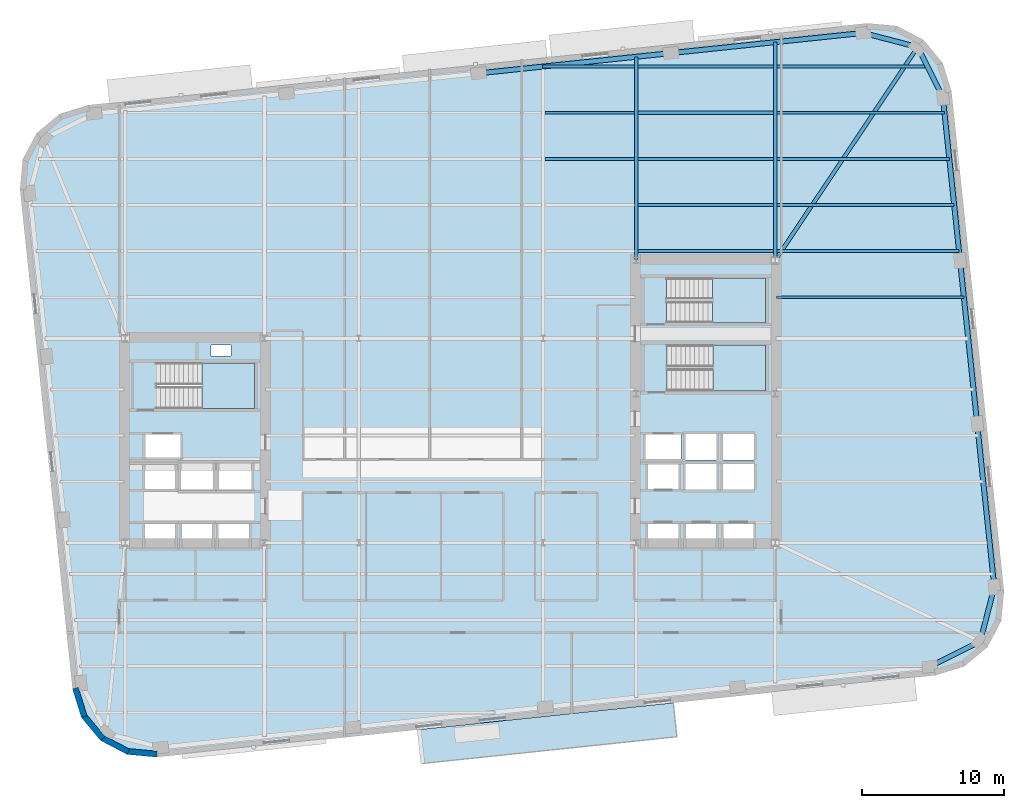
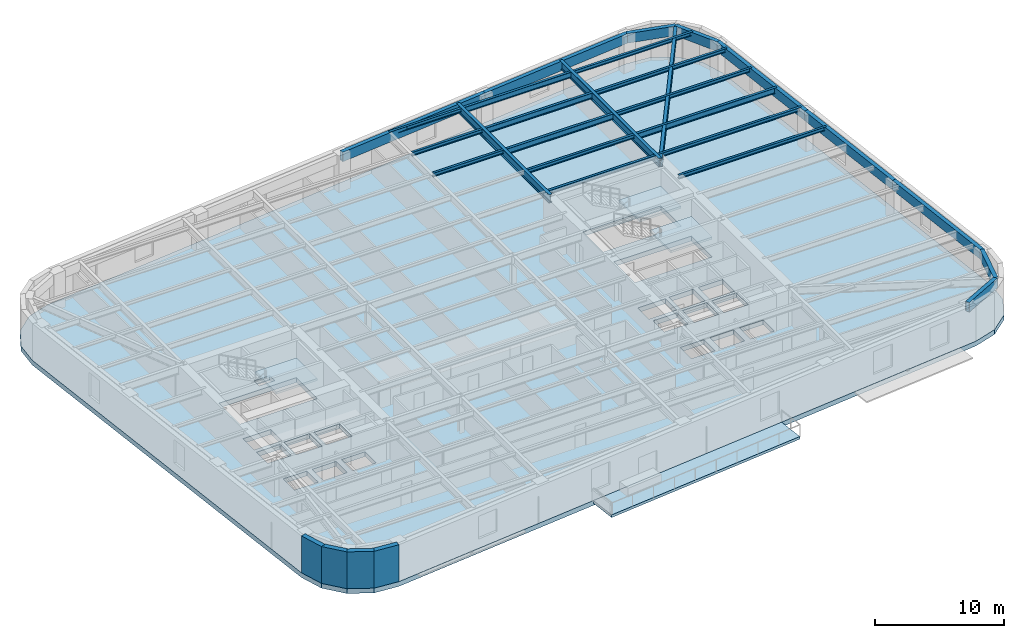
# One storey, part 3 of 11: 26 beams, 5 slabs, 4 walls, 3 elements without a shape of their own.
"""IFC4 building model written with IfcOpenShell, lengths in metres."""

from ifc_helpers import new_model, si_unit, direction, frame, frame_2d, origin, origin_2d, place, context, subcontext, project, spatial, polyline, rectangle, hollow_rectangle, i_section, outline, extrude, material, layer, layer_set, material_profile, profile_set, type_object, element, aggregate, save


model = new_model("IFC4")

# Units and contexts
model_context = context("Model", 3, precision=1e-05, world=origin(), true_north=direction((0.0, 1.0)))
body_context = subcontext(model_context, "Body", "Model", "MODEL_VIEW")
ifc_project = project(units=[si_unit("LENGTHUNIT", "METRE"), si_unit("AREAUNIT", "SQUARE_METRE"), si_unit("VOLUMEUNIT", "CUBIC_METRE"), si_unit("PLANEANGLEUNIT", "RADIAN"), si_unit("MASSUNIT", "GRAM", prefix="KILO")], contexts=[model_context])

# Site, building, storey
site_placement = place(None, origin())
site = spatial("IfcSite", under=ifc_project, at=site_placement, CompositionType="ELEMENT")
building_placement = place(site_placement, origin())
building = spatial("IfcBuilding", under=site, at=building_placement, Name="Kolvaren Arena Tower", CompositionType="ELEMENT")
storey_placement = place(building_placement, frame((0.0, 0.0, 99.699951171875)))
storey = spatial("IfcBuildingStorey", under=building, at=storey_placement, Name="L22", CompositionType="ELEMENT", Elevation=99.699951171875)

# Beams
ifc_material_1 = material(Name="Steel CSA G40.21 350W", Category="steel")
ifc_material_profile_1 = material_profile(ifc_material_1, i_section(OverallWidth=0.2119140625, OverallDepth=0.54296875, WebThickness=0.01318359375, FlangeThickness=0.0244140625, FilletRadius=0.013916015625, at=origin_2d()), Name="W530x150")
ifc_profile_set_1 = profile_set([ifc_material_profile_1], Name="Steel CSA G40.21 350W")
beam_type_1 = type_object("IfcBeamType", Name="BEAM-F1", PredefinedType="BEAM", material=ifc_profile_set_1)
beam_1_placement = place(storey_placement, frame((60.485107421875, 43.25, 3.20849609375), z_axis=(1.0, 0.0, 0.0), x_axis=(0.0, 1.0, 0.0)))
element("IfcBeam", 1, at=beam_1_placement, inside=storey, type_object=beam_type_1, Name="Composite Floor Beam (L22)", PredefinedType="BEAM", context=body_context, shape_type="SweptSolid", body=[
    extrude(i_section(OverallWidth=0.2119140625, OverallDepth=0.54296875, WebThickness=0.01318359375, FlangeThickness=0.0244140625, FilletRadius=0.013916015625, at=origin_2d()), origin(), (0.0, 0.0, 1.0), 12.471435546875),
])
for number, where, z_axis, x_axis, name in (
    (2, (50.68505859375, 46.5, 3.20849609375), (1.0, 0.0, 0.0), (0.0, 1.0, 0.0), "Composite Floor Beam (L22)"),
    (3, (50.68505859375, 49.75, 3.20849609375), (1.0, 0.0, 0.0), (0.0, 1.0, 0.0), "Composite Floor Beam (L22)"),
    (4, (50.68505859375, 53.0, 3.20849609375), (1.0, 0.0, 0.0), (0.0, 1.0, 0.0), "Composite Floor Beam (L22)"),
):
    element("IfcBeam", number, at=place(storey_placement, frame(where, z_axis=z_axis, x_axis=x_axis)), inside=storey, type_object=beam_type_1, Name=name, PredefinedType="BEAM", context=body_context, shape_type="SweptSolid", body=[
        extrude(i_section(OverallWidth=0.2119140625, OverallDepth=0.54296875, WebThickness=0.01318359375, FlangeThickness=0.0244140625, FilletRadius=0.013916015625, at=origin_2d()), origin(), (0.0, 0.0, 1.0), 9.530029296875),
    ])
ifc_material_profile_2 = material_profile(ifc_material_1, i_section(OverallWidth=0.27001953125, OverallDepth=0.77294921875, WebThickness=0.019287109375, FlangeThickness=0.033447265625, FilletRadius=0.01806640625, at=origin_2d()), Name="W760x257")
ifc_profile_set_2 = profile_set([ifc_material_profile_2], Name="Steel CSA G40.21 350W")
beam_type_2 = type_object("IfcBeamType", Name="GIRD-T1", PredefinedType="BEAM", material=ifc_profile_set_2)
beam_2_placement = place(storey_placement, frame((70.387939453125, 54.37939453125, 3.093505859375), z_axis=(-0.555401401293, -0.831582397266, 0.0), x_axis=(0.831582397266, -0.555401401293, 0.0)))
element("IfcBeam", 5, at=beam_2_placement, inside=storey, type_object=beam_type_2, Name="Corner Diagonal Tie Girder (L22)", PredefinedType="BEAM", context=body_context, shape_type="SweptSolid", body=[
    extrude(i_section(OverallWidth=0.27001953125, OverallDepth=0.77294921875, WebThickness=0.019287109375, FlangeThickness=0.033447265625, FilletRadius=0.01806640625, at=origin_2d()), origin(), (0.0, 0.0, 1.0), 18.0732421875),
])
beam_3_placement = place(storey_placement, frame((50.550048828125, 39.405029296875, 3.093505859375), z_axis=(0.0, 1.0, 0.0), x_axis=(-1.0, 0.0, 0.0)))
element("IfcBeam", 6, at=beam_3_placement, inside=storey, type_object=beam_type_2, Name="Primary Floor Girder (L22)", PredefinedType="BEAM", context=body_context, shape_type="SweptSolid", body=[
    extrude(i_section(OverallWidth=0.27001953125, OverallDepth=0.77294921875, WebThickness=0.019287109375, FlangeThickness=0.033447265625, FilletRadius=0.01806640625, at=origin_2d()), origin(), (0.0, 0.0, 1.0), 14.288330078125),
])
beam_4_placement = place(storey_placement, frame((60.35009765625, 39.405029296875, 3.093505859375), z_axis=(0.0, 1.0, 0.0), x_axis=(-1.0, 0.0, 0.0)))
element("IfcBeam", 7, at=beam_4_placement, inside=storey, type_object=beam_type_2, Name="Primary Floor Girder (L22)", PredefinedType="BEAM", context=body_context, shape_type="SweptSolid", body=[
    extrude(i_section(OverallWidth=0.27001953125, OverallDepth=0.77294921875, WebThickness=0.019287109375, FlangeThickness=0.033447265625, FilletRadius=0.01806640625, at=origin_2d()), origin(), (0.0, 0.0, 1.0), 15.318359375),
])
ifc_material_profile_3 = material_profile(ifc_material_1, i_section(OverallWidth=0.202880859375, OverallDepth=0.346923828125, WebThickness=0.0078125, FlangeThickness=0.013427734375, FilletRadius=0.010986328125, at=origin_2d()), Name="W360x64")
ifc_profile_set_3 = profile_set([ifc_material_profile_3], Name="Steel CSA G40.21 350W")
beam_type_3 = type_object("IfcBeamType", Name="JOIST-01", PredefinedType="JOIST", material=ifc_profile_set_3)
beam_5_placement = place(storey_placement, frame((60.445068359375, 36.75, 3.306640625), z_axis=(1.0, 0.0, 0.0), x_axis=(0.0, 1.0, 0.0)))
element("IfcBeam", 8, at=beam_5_placement, inside=storey, type_object=beam_type_3, Name="Composite Floor Joist (L22)", PredefinedType="JOIST", context=body_context, shape_type="SweptSolid", body=[
    extrude(i_section(OverallWidth=0.202880859375, OverallDepth=0.346923828125, WebThickness=0.0078125, FlangeThickness=0.013427734375, FilletRadius=0.010986328125, at=origin_2d()), origin(), (0.0, 0.0, 1.0), 13.19482421875),
])
beam_6_placement = place(storey_placement, frame((50.68505859375, 40.0, 3.306640625), z_axis=(1.0, 0.0, 0.0), x_axis=(0.0, 1.0, 0.0)))
element("IfcBeam", 9, at=beam_6_placement, inside=storey, type_object=beam_type_3, Name="Composite Floor Joist (L22)", PredefinedType="JOIST", context=body_context, shape_type="SweptSolid", body=[
    extrude(i_section(OverallWidth=0.202880859375, OverallDepth=0.346923828125, WebThickness=0.0078125, FlangeThickness=0.013427734375, FilletRadius=0.010986328125, at=origin_2d()), origin(), (0.0, 0.0, 1.0), 9.530029296875),
])
beam_7_placement = place(storey_placement, frame((60.485107421875, 40.0, 3.306640625), z_axis=(1.0, 0.0, 0.0), x_axis=(0.0, 1.0, 0.0)))
element("IfcBeam", 10, at=beam_7_placement, inside=storey, type_object=beam_type_3, Name="Composite Floor Joist (L22)", PredefinedType="JOIST", context=body_context, shape_type="SweptSolid", body=[
    extrude(i_section(OverallWidth=0.202880859375, OverallDepth=0.346923828125, WebThickness=0.0078125, FlangeThickness=0.013427734375, FilletRadius=0.010986328125, at=origin_2d()), origin(), (0.0, 0.0, 1.0), 12.81298828125),
])
beam_8_placement = place(storey_placement, frame((50.68505859375, 43.25, 3.306640625), z_axis=(1.0, 0.0, 0.0), x_axis=(0.0, 1.0, 0.0)))
element("IfcBeam", 11, at=beam_8_placement, inside=storey, type_object=beam_type_3, Name="Composite Floor Joist (L22)", PredefinedType="JOIST", context=body_context, shape_type="SweptSolid", body=[
    extrude(i_section(OverallWidth=0.202880859375, OverallDepth=0.346923828125, WebThickness=0.0078125, FlangeThickness=0.013427734375, FilletRadius=0.010986328125, at=origin_2d()), origin(), (0.0, 0.0, 1.0), 9.530029296875),
])
beam_9_placement = place(storey_placement, frame((44.135009765625, 46.5, 3.306640625), z_axis=(1.0, 0.0, 0.0), x_axis=(0.0, 1.0, 0.0)))
element("IfcBeam", 12, at=beam_9_placement, inside=storey, type_object=beam_type_3, Name="Composite Floor Joist (L22)", PredefinedType="JOIST", context=body_context, shape_type="SweptSolid", body=[
    extrude(i_section(OverallWidth=0.202880859375, OverallDepth=0.346923828125, WebThickness=0.0078125, FlangeThickness=0.013427734375, FilletRadius=0.010986328125, at=origin_2d()), origin(), (0.0, 0.0, 1.0), 6.280029296875),
])
beam_10_placement = place(storey_placement, frame((60.485107421875, 46.5, 3.306640625), z_axis=(1.0, 0.0, 0.0), x_axis=(0.0, 1.0, 0.0)))
element("IfcBeam", 13, at=beam_10_placement, inside=storey, type_object=beam_type_3, Name="Composite Floor Joist (L22)", PredefinedType="JOIST", context=body_context, shape_type="SweptSolid", body=[
    extrude(i_section(OverallWidth=0.202880859375, OverallDepth=0.346923828125, WebThickness=0.0078125, FlangeThickness=0.013427734375, FilletRadius=0.010986328125, at=origin_2d()), origin(), (0.0, 0.0, 1.0), 12.1298828125),
])
beam_11_placement = place(storey_placement, frame((44.135009765625, 49.75, 3.306640625), z_axis=(1.0, 0.0, 0.0), x_axis=(0.0, 1.0, 0.0)))
element("IfcBeam", 14, at=beam_11_placement, inside=storey, type_object=beam_type_3, Name="Composite Floor Joist (L22)", PredefinedType="JOIST", context=body_context, shape_type="SweptSolid", body=[
    extrude(i_section(OverallWidth=0.202880859375, OverallDepth=0.346923828125, WebThickness=0.0078125, FlangeThickness=0.013427734375, FilletRadius=0.010986328125, at=origin_2d()), origin(), (0.0, 0.0, 1.0), 6.280029296875),
])
beam_12_placement = place(storey_placement, frame((60.485107421875, 49.75, 3.306640625), z_axis=(1.0, 0.0, 0.0), x_axis=(0.0, 1.0, 0.0)))
element("IfcBeam", 15, at=beam_12_placement, inside=storey, type_object=beam_type_3, Name="Composite Floor Joist (L22)", PredefinedType="JOIST", context=body_context, shape_type="SweptSolid", body=[
    extrude(i_section(OverallWidth=0.202880859375, OverallDepth=0.346923828125, WebThickness=0.0078125, FlangeThickness=0.013427734375, FilletRadius=0.010986328125, at=origin_2d()), origin(), (0.0, 0.0, 1.0), 11.788330078125),
])
beam_13_placement = place(storey_placement, frame((43.95361328125, 53.0, 3.306640625), z_axis=(1.0, 0.0, 0.0), x_axis=(0.0, 1.0, 0.0)))
element("IfcBeam", 16, at=beam_13_placement, inside=storey, type_object=beam_type_3, Name="Composite Floor Joist (L22)", PredefinedType="JOIST", context=body_context, shape_type="SweptSolid", body=[
    extrude(i_section(OverallWidth=0.202880859375, OverallDepth=0.346923828125, WebThickness=0.0078125, FlangeThickness=0.013427734375, FilletRadius=0.010986328125, at=origin_2d()), origin(), (0.0, 0.0, 1.0), 6.46142578125),
])
beam_14_placement = place(storey_placement, frame((60.485107421875, 53.0, 3.306640625), z_axis=(1.0, 0.0, 0.0), x_axis=(0.0, 1.0, 0.0)))
element("IfcBeam", 17, at=beam_14_placement, inside=storey, type_object=beam_type_3, Name="Composite Floor Joist (L22)", PredefinedType="JOIST", context=body_context, shape_type="SweptSolid", body=[
    extrude(i_section(OverallWidth=0.202880859375, OverallDepth=0.346923828125, WebThickness=0.0078125, FlangeThickness=0.013427734375, FilletRadius=0.010986328125, at=origin_2d()), origin(), (0.0, 0.0, 1.0), 10.592529296875),
])
ifc_material_2 = material(Name="Steel CSA G40.21 350WT", Category="steel")
ifc_material_profile_4 = material_profile(ifc_material_2, hollow_rectangle(XDim=0.35009765625, YDim=0.89990234375, WallThickness=0.02001953125, at=origin_2d()), Name="HSS 900x350x20")
ifc_profile_set_4 = profile_set([ifc_material_profile_4], Name="Steel CSA G40.21 350WT")
beam_type_4 = type_object("IfcBeamType", Name="SPAND-01", PredefinedType="SPANDREL", material=ifc_profile_set_4)
for number, where, z_axis, x_axis, name in (
    (18, (71.247314453125, 10.721435546875, 3.030029296875), (0.894451843771, 0.44716428656, 0.0), (-0.44716428656, 0.894451843771, 0.0), "Perimeter Spandrel Beam (L22)"),
    (19, (74.790283203125, 12.49267578125, 3.030029296875), (0.251473350892, 0.967864222808, 0.0), (-0.967864222808, 0.251473350892, 0.0), "Perimeter Spandrel Beam (L22)"),
):
    element("IfcBeam", number, at=place(storey_placement, frame(where, z_axis=z_axis, x_axis=x_axis)), inside=storey, type_object=beam_type_4, Name=name, PredefinedType="SPANDREL", context=body_context, shape_type="SweptSolid", body=[
        extrude(hollow_rectangle(XDim=0.35009765625, YDim=0.89990234375, WallThickness=0.02001953125, at=origin_2d()), origin(), (0.0, 0.0, 1.0), 3.9609375),
    ])
beam_15_placement = place(storey_placement, frame((75.786376953125, 16.326416015625, 3.030029296875), z_axis=(-0.104522171998, 0.994522556587, 0.0), x_axis=(-0.994522556587, -0.104522171998, 0.0)))
element("IfcBeam", 20, at=beam_15_placement, inside=storey, type_object=beam_type_4, Name="Perimeter Spandrel Beam (L22)", PredefinedType="SPANDREL", context=body_context, shape_type="SweptSolid", body=[
    extrude(hollow_rectangle(XDim=0.35009765625, YDim=0.89990234375, WallThickness=0.02001953125, at=origin_2d()), origin(), (0.0, 0.0, 1.0), 11.56689453125),
])
beam_16_placement = place(storey_placement, frame((74.577392578125, 27.829833984375, 3.030029296875), z_axis=(-0.104524366116, 0.994522325988, 0.0), x_axis=(-0.994522325988, -0.104524366116, 0.0)))
element("IfcBeam", 21, at=beam_16_placement, inside=storey, type_object=beam_type_4, Name="Perimeter Spandrel Beam (L22)", PredefinedType="SPANDREL", context=body_context, shape_type="SweptSolid", body=[
    extrude(hollow_rectangle(XDim=0.35009765625, YDim=0.89990234375, WallThickness=0.02001953125, at=origin_2d()), origin(), (0.0, 0.0, 1.0), 11.566650390625),
])
beam_17_placement = place(storey_placement, frame((73.368408203125, 39.3330078125, 3.030029296875), z_axis=(-0.104543048399, 0.994520362301, 0.0), x_axis=(-0.994520362301, -0.104543048399, 0.0)))
element("IfcBeam", 22, at=beam_17_placement, inside=storey, type_object=beam_type_4, Name="Perimeter Spandrel Beam (L22)", PredefinedType="SPANDREL", context=body_context, shape_type="SweptSolid", body=[
    extrude(hollow_rectangle(XDim=0.35009765625, YDim=0.89990234375, WallThickness=0.02001953125, at=origin_2d()), origin(), (0.0, 0.0, 1.0), 11.56689453125),
])
for number, where, z_axis, x_axis, name in (
    (23, (72.1591796875, 50.83642578125, 3.030029296875), (-0.44716428656, 0.894451843771, 0.0), (-0.894451843771, -0.44716428656, 0.0), "Perimeter Spandrel Beam (L22)"),
    (24, (70.387939453125, 54.37939453125, 3.030029296875), (-0.967864222808, 0.251473350892, 0.0), (-0.251473350892, -0.967864222808, 0.0), "Perimeter Spandrel Beam (L22)"),
):
    element("IfcBeam", number, at=place(storey_placement, frame(where, z_axis=z_axis, x_axis=x_axis)), inside=storey, type_object=beam_type_4, Name=name, PredefinedType="SPANDREL", context=body_context, shape_type="SweptSolid", body=[
        extrude(hollow_rectangle(XDim=0.35009765625, YDim=0.89990234375, WallThickness=0.02001953125, at=origin_2d()), origin(), (0.0, 0.0, 1.0), 3.9609375),
    ])
beam_18_placement = place(storey_placement, frame((66.55419921875, 55.37548828125, 3.030029296875), z_axis=(-0.994521150946, -0.104535545729, 0.0), x_axis=(0.104535545729, -0.994521150946, 0.0)))
element("IfcBeam", 25, at=beam_18_placement, inside=storey, type_object=beam_type_4, Name="Perimeter Spandrel Beam (L22)", PredefinedType="SPANDREL", context=body_context, shape_type="SweptSolid", body=[
    extrude(hollow_rectangle(XDim=0.35009765625, YDim=0.89990234375, WallThickness=0.02001953125, at=origin_2d()), origin(), (0.0, 0.0, 1.0), 13.625244140625),
])
beam_19_placement = place(storey_placement, frame((53.003662109375, 53.951171875, 3.030029296875), z_axis=(-0.994522817887, -0.104519685718, 0.0), x_axis=(0.104519685718, -0.994522817887, 0.0)))
element("IfcBeam", 26, at=beam_19_placement, inside=storey, type_object=beam_type_4, Name="Perimeter Spandrel Beam (L22)", PredefinedType="SPANDREL", context=body_context, shape_type="SweptSolid", body=[
    extrude(hollow_rectangle(XDim=0.35009765625, YDim=0.89990234375, WallThickness=0.02001953125, at=origin_2d()), origin(), (0.0, 0.0, 1.0), 13.625),
])

# Stair, slab
ifc_material_3 = material(Name="Concrete 45 MPa", Category="concrete")
stair_type_1 = type_object("IfcStairType", Name="STAIR-CORE-165", PredefinedType="HALF_TURN_STAIR", material=ifc_material_3)
stair_1_placement = place(storey_placement, origin())
stair_1 = element("IfcStair", 27, at=stair_1_placement, inside=storey, type_object=stair_type_1, Name="L22 ST-W1", PredefinedType="HALF_TURN_STAIR")
ifc_layer_1 = layer(ifc_material_3, 0.199951171875)
ifc_layer_set_1 = layer_set([ifc_layer_1], Name="Concrete 45 MPa")
slab_type_1 = type_object("IfcSlabType", Name="SLAB-LAND", PredefinedType="LANDING", material=ifc_layer_set_1)
slab_1_placement = place(storey_placement, frame((0.0, 0.0, 1.675048828125)))
slab_1 = element("IfcSlab", 28, at=slab_1_placement, type_object=slab_type_1, Name="ST-W1 landing 1", PredefinedType="LANDING", context=body_context, shape_type="SweptSolid", body=[
    extrude(outline(polyline([(19.9599609375, 28.89990234375), (23.659912109375, 28.89990234375), (23.659912109375, 32.1298828125), (19.9599609375, 32.1298828125), (19.9599609375, 28.89990234375)])), origin(), (0.0, 0.0, 1.0), 0.199951171875),
])
aggregate(stair_1, [slab_1])

stair_2_placement = place(storey_placement, origin())
stair_2 = element("IfcStair", 29, at=stair_2_placement, inside=storey, type_object=stair_type_1, Name="L22 ST-E1", PredefinedType="HALF_TURN_STAIR")
slab_2_placement = place(storey_placement, frame((0.0, 0.0, 1.675048828125)))
slab_2 = element("IfcSlab", 30, at=slab_2_placement, type_object=slab_type_1, Name="ST-E1 landing 1", PredefinedType="LANDING", context=body_context, shape_type="SweptSolid", body=[
    extrude(outline(polyline([(55.9599609375, 30.14990234375), (59.659912109375, 30.14990234375), (59.659912109375, 33.3798828125), (55.9599609375, 33.3798828125), (55.9599609375, 30.14990234375)])), origin(), (0.0, 0.0, 1.0), 0.199951171875),
])
aggregate(stair_2, [slab_2])

stair_type_2 = type_object("IfcStairType", Name="STAIR-CORE-150", PredefinedType="HALF_TURN_STAIR", material=ifc_material_3)
stair_3_placement = place(storey_placement, origin())
stair_3 = element("IfcStair", 31, at=stair_3_placement, inside=storey, type_object=stair_type_2, Name="L22 ST-E2", PredefinedType="HALF_TURN_STAIR")
slab_3_placement = place(storey_placement, frame((0.0, 0.0, 1.675048828125)))
slab_3 = element("IfcSlab", 32, at=slab_3_placement, type_object=slab_type_1, Name="ST-E2 landing 1", PredefinedType="LANDING", context=body_context, shape_type="SweptSolid", body=[
    extrude(outline(polyline([(55.919921875, 34.949951171875), (59.659912109375, 34.949951171875), (59.659912109375, 38.10009765625), (55.919921875, 38.10009765625), (55.919921875, 34.949951171875)])), origin(), (0.0, 0.0, 1.0), 0.199951171875),
])
aggregate(stair_3, [slab_3])

# Slabs
ifc_layer_2 = layer(ifc_material_3, 0.2548828125)
ifc_layer_set_2 = layer_set([ifc_layer_2], Name="Concrete 45 MPa")
slab_type_2 = type_object("IfcSlabType", Name="SLAB-TERR", PredefinedType="FLOOR", material=ifc_layer_set_2)
slab_4_placement = place(storey_placement, frame((0.0, 0.0, -0.25)))
element("IfcSlab", 33, at=slab_4_placement, inside=storey, type_object=slab_type_2, Name="L22 Planted Setback Roof Terrace Slab", PredefinedType="FLOOR", context=body_context, shape_type="SweptSolid", body=[
    extrude(outline(polyline([(35.514892578125, 3.89892578125), (53.416259765625, 5.780517578125), (53.165283203125, 8.167236328125), (35.263916015625, 6.285888671875), (35.514892578125, 3.89892578125)])), origin(), (0.0, 0.0, 1.0), 0.25),
])
ifc_material_4 = material(Name="Concrete 60 MPa", Category="concrete")
ifc_layer_3 = layer(ifc_material_4, 0.449951171875)
ifc_layer_set_3 = layer_set([ifc_layer_3], Name="Concrete 60 MPa")
slab_type_3 = type_object("IfcSlabType", Name="SLAB-TRANS", PredefinedType="FLOOR", material=ifc_layer_set_3)
slab_5_placement = place(storey_placement, frame((0.0, 0.0, -0.449951171875)))
element("IfcSlab", 34, at=slab_5_placement, inside=storey, type_object=slab_type_3, Name="L22 Primary Structural Slab", PredefinedType="FLOOR", context=body_context, shape_type="SweptSolid", body=[
    extrude(outline(polyline([(71.663330078125, 10.111572265625), (73.675537109375, 10.736328125), (75.29541015625, 12.08349609375), (76.276611328125, 13.9482421875), (76.469482421875, 16.04638671875), (72.76904296875, 51.25244140625), (72.144287109375, 53.2646484375), (70.797119140625, 54.884521484375), (68.932373046875, 55.865478515625), (66.834228515625, 56.058349609375), (11.9365234375, 50.28857421875), (9.92431640625, 49.663818359375), (8.304443359375, 48.31640625), (7.323486328125, 46.45166015625), (7.130615234375, 44.353515625), (10.830810546875, 9.1474609375), (11.455810546875, 7.13525390625), (12.802978515625, 5.515380859375), (14.667724609375, 4.534423828125), (16.765869140625, 4.341552734375), (71.663330078125, 10.111572265625)]), holes=[polyline([(15.93505859375, 19.0849609375), (15.93505859375, 20.81494140625), (18.06494140625, 20.81494140625), (18.06494140625, 19.0849609375), (15.93505859375, 19.0849609375)]), polyline([(18.534912109375, 19.0849609375), (18.534912109375, 20.81494140625), (20.6650390625, 20.81494140625), (20.6650390625, 19.0849609375), (18.534912109375, 19.0849609375)]), polyline([(21.135009765625, 19.0849609375), (21.135009765625, 20.81494140625), (23.264892578125, 20.81494140625), (23.264892578125, 19.0849609375), (21.135009765625, 19.0849609375)]), polyline([(51.39501953125, 19.0849609375), (51.39501953125, 20.81494140625), (53.52490234375, 20.81494140625), (53.52490234375, 19.0849609375), (51.39501953125, 19.0849609375)]), polyline([(54.054931640625, 19.0849609375), (54.054931640625, 20.81494140625), (56.18505859375, 20.81494140625), (56.18505859375, 19.0849609375), (54.054931640625, 19.0849609375)]), polyline([(56.695068359375, 19.0849609375), (56.695068359375, 20.81494140625), (58.824951171875, 20.81494140625), (58.824951171875, 19.0849609375), (56.695068359375, 19.0849609375)]), polyline([(18.4599609375, 25.06494140625), (20.739990234375, 25.06494140625), (20.739990234375, 23.135009765625), (18.4599609375, 23.135009765625), (18.4599609375, 25.06494140625)]), polyline([(21.159912109375, 23.135009765625), (21.159912109375, 25.06494140625), (23.43994140625, 25.06494140625), (23.43994140625, 23.135009765625), (21.159912109375, 23.135009765625)]), polyline([(54.030029296875, 25.014892578125), (56.2099609375, 25.014892578125), (56.2099609375, 23.18505859375), (54.030029296875, 23.18505859375), (54.030029296875, 25.014892578125)]), polyline([(56.669921875, 25.014892578125), (58.85009765625, 25.014892578125), (58.85009765625, 23.18505859375), (56.669921875, 23.18505859375), (56.669921875, 25.014892578125)]), polyline([(15.93505859375, 24.965087890625), (18.06494140625, 24.965087890625), (18.06494140625, 23.235107421875), (15.93505859375, 23.235107421875), (15.93505859375, 24.965087890625)]), polyline([(51.39501953125, 23.235107421875), (51.39501953125, 24.965087890625), (53.52490234375, 24.965087890625), (53.52490234375, 23.235107421875), (51.39501953125, 23.235107421875)]), polyline([(54.030029296875, 25.284912109375), (54.030029296875, 27.114990234375), (56.2099609375, 27.114990234375), (56.2099609375, 25.284912109375), (54.030029296875, 25.284912109375)]), polyline([(56.669921875, 25.284912109375), (56.669921875, 27.114990234375), (58.85009765625, 27.114990234375), (58.85009765625, 25.284912109375), (56.669921875, 25.284912109375)]), polyline([(15.9599609375, 25.3349609375), (15.9599609375, 27.06494140625), (18.43994140625, 27.06494140625), (18.43994140625, 25.3349609375), (15.9599609375, 25.3349609375)]), polyline([(51.219970703125, 25.3349609375), (51.219970703125, 27.06494140625), (53.699951171875, 27.06494140625), (53.699951171875, 25.3349609375), (51.219970703125, 25.3349609375)]), polyline([(16.735107421875, 32.1298828125), (23.659912109375, 32.1298828125), (23.659912109375, 28.89990234375), (16.735107421875, 28.89990234375), (16.735107421875, 32.1298828125)]), polyline([(52.735107421875, 33.3798828125), (59.659912109375, 33.3798828125), (59.659912109375, 30.14990234375), (52.735107421875, 30.14990234375), (52.735107421875, 33.3798828125)]), polyline([(20.60009765625, 33.39990234375), (22.0, 33.39990234375), (22.0, 32.6201171875), (20.60009765625, 32.6201171875), (20.60009765625, 33.39990234375)]), polyline([(52.695068359375, 38.10009765625), (59.659912109375, 38.10009765625), (59.659912109375, 34.949951171875), (52.695068359375, 34.949951171875), (52.695068359375, 38.10009765625)])]), origin(), (0.0, 0.0, 1.0), 0.449951171875),
])

# Walls
ifc_material_5 = material(Name="Precast concrete C50/60", Category="concrete")
ifc_layer_4 = layer(ifc_material_5, 0.419921875)
ifc_layer_set_4 = layer_set([ifc_layer_4], Name="Precast concrete C50/60")
wall_type = type_object("IfcWallType", Name="EXT-PIER1", PredefinedType="SOLIDWALL", material=ifc_layer_set_4)
for number, where, z_axis, x_axis, name in (
    (35, (11.65625, 7.197509765625, 0.0), (0.0, 0.0, 1.0), (-0.296519484366, 0.955026803494, 0.0), "Exterior Precast Masonry-Frame Wall (L22)"),
    (36, (12.964599609375, 5.649658203125, 0.0), (0.0, 0.0, 1.0), (-0.639488914921, 0.768800317178, 0.0), "Exterior Precast Masonry-Frame Wall (L22)"),
    (37, (14.765380859375, 4.72021484375, 0.0), (0.0, 0.0, 1.0), (-0.884940843444, 0.465703450282, 0.0), "Exterior Precast Masonry-Frame Wall (L22)"),
):
    element("IfcWall", number, at=place(storey_placement, frame(where, z_axis=z_axis, x_axis=x_axis)), inside=storey, type_object=wall_type, Name=name, PredefinedType="SOLIDWALL", context=body_context, shape_type="SweptSolid", body=[
        extrude(rectangle(XDim=2.10693359375, YDim=0.419921875, at=frame_2d((1.053466796875, 0.0))), origin(), (0.0, 0.0, 1.0), 3.47998046875),
    ])
wall_placement = place(storey_placement, frame((16.784912109375, 4.55078125, 0.0), z_axis=(0.0, 0.0, 1.0), x_axis=(-0.995811110714, 0.091434303078, 0.0)))
element("IfcWall", 38, at=wall_placement, inside=storey, type_object=wall_type, Name="Exterior Precast Masonry-Frame Wall (L22)", PredefinedType="SOLIDWALL", context=body_context, shape_type="SweptSolid", body=[
    extrude(rectangle(XDim=2.106689453125, YDim=0.419921875, at=frame_2d((1.05322265625, 0.0))), origin(), (0.0, 0.0, 1.0), 3.47998046875),
])

save(model, "model.ifc")
